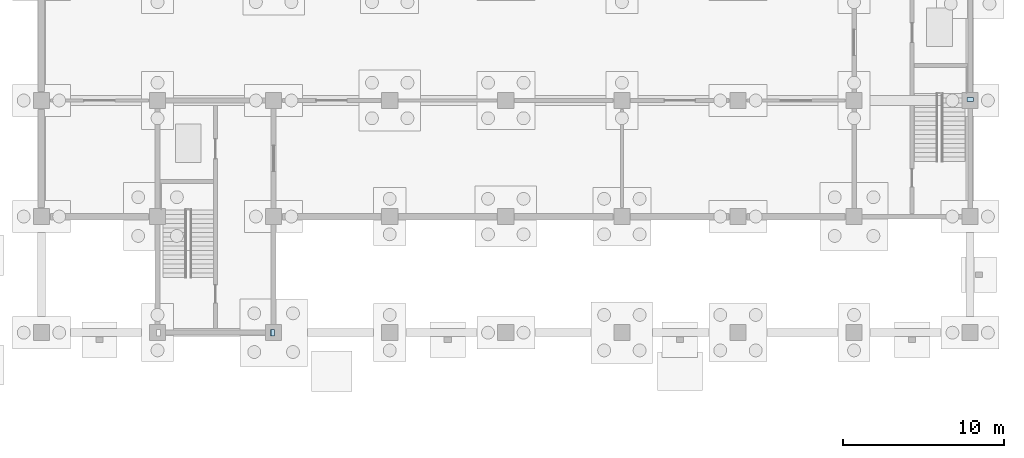
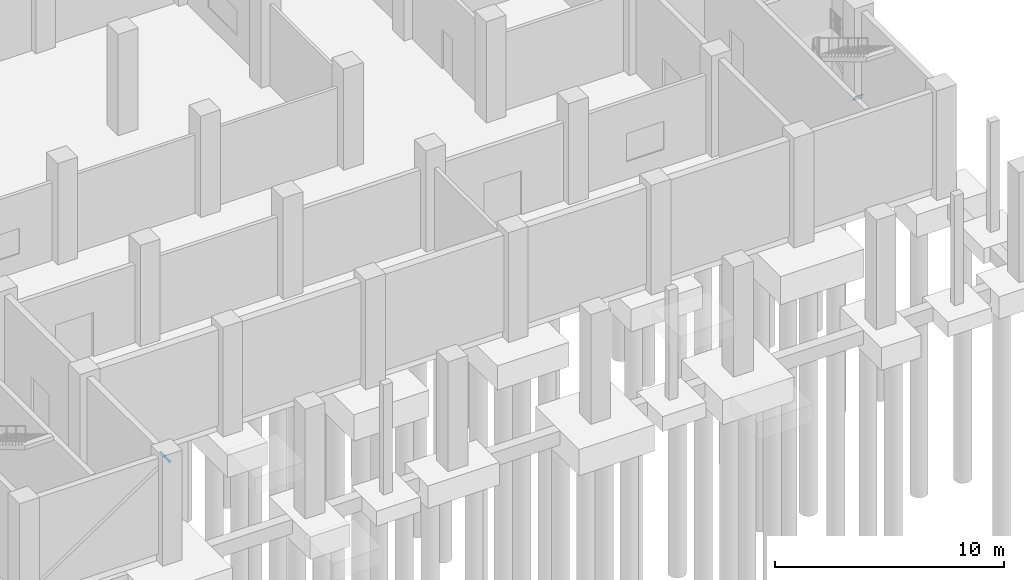
# One storey, part 17 of 35: 2 plates.
"""IFC4 building model written with IfcOpenShell, lengths in metres."""

from ifc_helpers import new_model, si_unit, direction, frame, origin, origin_2d, place, context, subcontext, project, spatial, rectangle, extrude, material, layer, layer_set, type_object, element, save


model = new_model("IFC4")

# Units and contexts
model_context = context("Model", 3, precision=1e-05, world=origin(), true_north=direction((0.0, 1.0)))
body_context = subcontext(model_context, "Body", "Model", "MODEL_VIEW")
ifc_project = project(units=[si_unit("LENGTHUNIT", "METRE"), si_unit("AREAUNIT", "SQUARE_METRE"), si_unit("VOLUMEUNIT", "CUBIC_METRE"), si_unit("PLANEANGLEUNIT", "RADIAN"), si_unit("MASSUNIT", "GRAM", prefix="KILO")], contexts=[model_context])

# Site, building, storey
site_placement = place(None, origin())
site = spatial("IfcSite", under=ifc_project, at=site_placement, CompositionType="ELEMENT")
building_placement = place(site_placement, origin())
building = spatial("IfcBuilding", under=site, at=building_placement, Name="Vesperath Aquatics Centre", CompositionType="ELEMENT")
storey_placement = place(building_placement, frame((0.0, 0.0, -5.39990234375)))
storey = spatial("IfcBuildingStorey", under=building, at=storey_placement, Name="B1", CompositionType="ELEMENT", Elevation=-5.39990234375)

# Plates
ifc_material = material(Name="Steel Q355D", Category="steel")
ifc_layer = layer(ifc_material, 0.02392578125)
ifc_layer_set = layer_set([ifc_layer], Name="Steel Q355D")
plate_type = type_object("IfcPlateType", Name="PT-TN04", PredefinedType="SHEET", material=ifc_layer_set)
for number, where, z_axis, x_axis, name in (
    (1, (129.533447265625, 0.0, 4.905517578125), (0.832050294338, 0.0, 0.554700196225), (0.0, 1.0, 0.0), "Truss Node Cap Plate TN04"),
    (2, (172.800048828125, 14.446533203125, 0.180908203125), (0.0, 0.832050294338, 0.554700196225), (-1.0, 0.0, 0.0), "Truss Node Cap Plate TN04"),
):
    element("IfcPlate", number, at=place(storey_placement, frame(where, z_axis=z_axis, x_axis=x_axis)), inside=storey, type_object=plate_type, Name=name, PredefinedType="SHEET", context=body_context, shape_type="SweptSolid", body=[
        extrude(rectangle(XDim=0.419921875, YDim=0.419921875, at=origin_2d()), origin(), (0.0, 0.0, 1.0), 0.02392578125),
    ])

save(model, "model.ifc")
